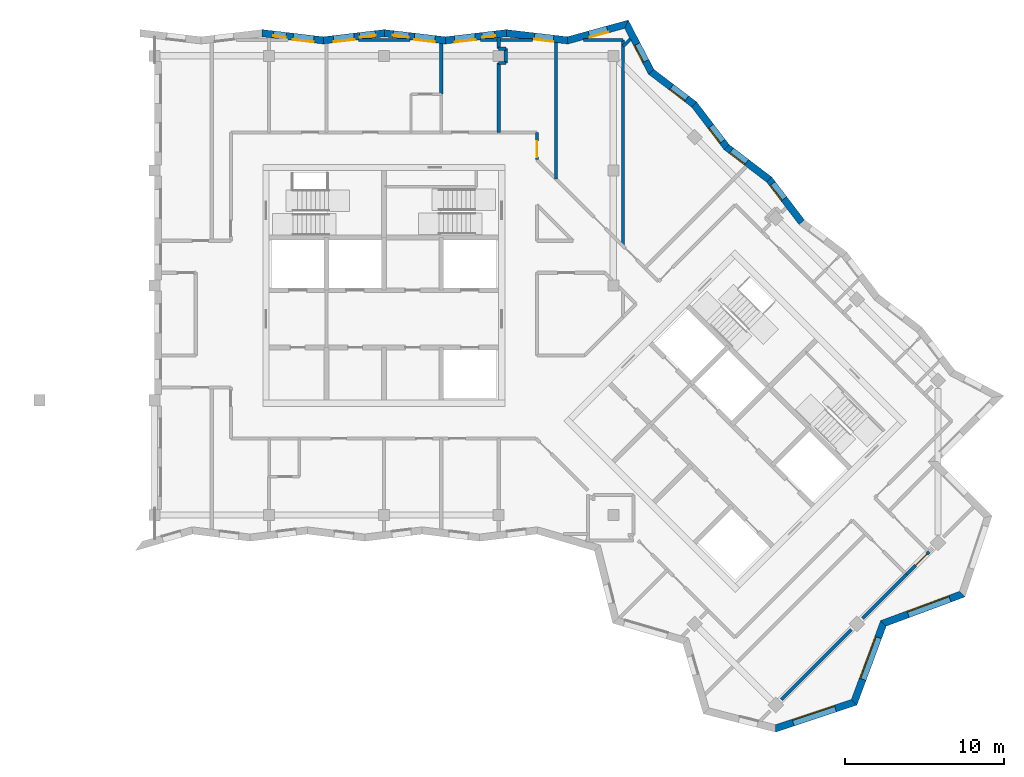
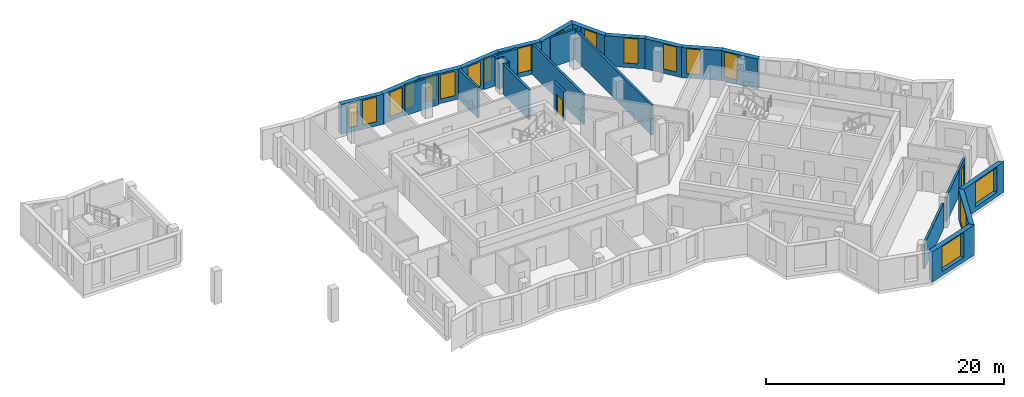
# One storey, part 6 of 12: 30 walls, 18 windows, 2 doors, 20 openings.
"""IFC4 building model written with IfcOpenShell, lengths in metres."""

from ifc_helpers import new_model, si_unit, direction, frame, frame_2d, origin, place, context, subcontext, project, spatial, polyline, rectangle, outline, extrude, material, layer, layer_set, type_object, element, fill, save


model = new_model("IFC4")

# Units and contexts
model_context = context("Model", 3, precision=1e-05, world=origin(), true_north=direction((0.0, 1.0)))
body_context = subcontext(model_context, "Body", "Model", "MODEL_VIEW")
ifc_project = project(units=[si_unit("LENGTHUNIT", "METRE"), si_unit("AREAUNIT", "SQUARE_METRE"), si_unit("VOLUMEUNIT", "CUBIC_METRE"), si_unit("PLANEANGLEUNIT", "RADIAN"), si_unit("MASSUNIT", "GRAM", prefix="KILO")], contexts=[model_context])

# Site, building, storey
site_placement = place(None, origin())
site = spatial("IfcSite", under=ifc_project, at=site_placement, CompositionType="ELEMENT")
building_placement = place(site_placement, origin())
building = spatial("IfcBuilding", under=site, at=building_placement, Name="Windrow Commons", CompositionType="ELEMENT")
storey_placement = place(building_placement, frame((0.0, 0.0, 260.8)))
storey = spatial("IfcBuildingStorey", under=building, at=storey_placement, Name="L71", CompositionType="ELEMENT", Elevation=260.8)

# Wall, opening, window
ifc_material_1 = material(Name="Brick masonry, red clay brick", Category="masonry")
ifc_layer_1 = layer(ifc_material_1, 0.45)
ifc_layer_set_1 = layer_set([ifc_layer_1], Name="Brick facade wall 450")
wall_type_1 = type_object("IfcWallType", Name="Brick facade wall 450", PredefinedType="SOLIDWALL", material=ifc_layer_set_1)
wall_1_placement = place(storey_placement, frame((89.3736, 29.8079, 0.0), z_axis=(0.0, 0.0, 1.0), x_axis=(0.9486871493, 0.3162162119, 0.0)))
wall_1 = element("IfcWall", 1, at=wall_1_placement, inside=storey, type_object=wall_type_1, Name="Brick facade wall L71 1", PredefinedType="SOLIDWALL", context=body_context, shape_type="SweptSolid", body=[
    extrude(outline(polyline([(-0.0658, -0.225), (5.3008, -0.225), (5.0852, 0.225), (0.0658, 0.225), (-0.0658, -0.225)])), origin(), (0.0, 0.0, 1.0), 3.1),
])
opening_1_placement = place(wall_1_placement, frame((1.1577, 0.0, 0.45)))
opening_1 = element("IfcOpeningElement", 2, at=opening_1_placement, cuts=wall_1, Name="Opening W1V", PredefinedType="OPENING", context=body_context, shape_type="SweptSolid", body=[
    extrude(rectangle(XDim=2.8, YDim=2.55, at=frame_2d((1.4, 1.275))), frame((0.0, 0.235, 0.0), z_axis=(0.0, -1.0, 0.0), x_axis=(1.0, 0.0, 0.0)), (0.0, 0.0, 1.0), 0.47),
])
ifc_material_2 = material(Name="Clear float glass in anodised aluminium frame", Category="aluminium")
window_type_1 = type_object("IfcWindowType", Name="Window W1V bedroom 2800x2550", PartitioningType="SINGLE_PANEL", PredefinedType="WINDOW", material=ifc_material_2)
window_1_placement = place(opening_1_placement, origin())
window_1 = element("IfcWindow", 3, at=window_1_placement, inside=storey, type_object=window_type_1, Name="Window L71 1.1", OverallHeight=2.55, OverallWidth=2.8, PartitioningType="SINGLE_PANEL", PredefinedType="WINDOW", context=body_context, shape_type="SweptSolid", body=[
    extrude(rectangle(XDim=2.8, YDim=2.55, at=frame_2d((1.4, 1.275))), frame((0.0, 0.205, 0.0), z_axis=(0.0, -1.0, 0.0), x_axis=(1.0, 0.0, 0.0)), (0.0, 0.0, 1.0), 0.06),
])
fill(opening_1, window_1)

wall_2_placement = place(storey_placement, frame((94.3001, 31.45, 0.0), z_axis=(0.0, 0.0, 1.0), x_axis=(0.3481927166, 0.9374229739, 0.0)))
wall_2 = element("IfcWall", 4, at=wall_2_placement, inside=storey, type_object=wall_type_1, Name="Brick facade wall L71 2", PredefinedType="SOLIDWALL", context=body_context, shape_type="SweptSolid", body=[
    extrude(outline(polyline([(-0.1078, -0.225), (5.1724, -0.225), (5.3786, 0.225), (0.1078, 0.225), (-0.1078, -0.225)])), origin(), (0.0, 0.0, 1.0), 3.1),
])
opening_2_placement = place(wall_2_placement, frame((1.5336, 0.0, 0.45)))
opening_2 = element("IfcOpeningElement", 5, at=opening_2_placement, cuts=wall_2, Name="Opening W1V", PredefinedType="OPENING", context=body_context, shape_type="SweptSolid", body=[
    extrude(rectangle(XDim=2.8, YDim=2.55, at=frame_2d((1.4, 1.275))), frame((0.0, 0.235, 0.0), z_axis=(0.0, -1.0, 0.0), x_axis=(1.0, 0.0, 0.0)), (0.0, 0.0, 1.0), 0.47),
])
window_2_placement = place(opening_2_placement, origin())
window_2 = element("IfcWindow", 6, at=window_2_placement, inside=storey, type_object=window_type_1, Name="Window L71 2.1", OverallHeight=2.55, OverallWidth=2.8, PartitioningType="SINGLE_PANEL", PredefinedType="WINDOW", context=body_context, shape_type="SweptSolid", body=[
    extrude(rectangle(XDim=2.8, YDim=2.55, at=frame_2d((1.4, 1.275))), frame((0.0, 0.205, 0.0), z_axis=(0.0, -1.0, 0.0), x_axis=(1.0, 0.0, 0.0)), (0.0, 0.0, 1.0), 0.06),
])
fill(opening_2, window_2)

wall_3_placement = place(storey_placement, frame((96.137, 36.3954, 0.0), z_axis=(0.0, 0.0, 1.0), x_axis=(0.937429161, 0.3481760591, 0.0)))
wall_3 = element("IfcWall", 7, at=wall_3_placement, inside=storey, type_object=wall_type_1, Name="Brick facade wall L71 3", PredefinedType="SOLIDWALL", context=body_context, shape_type="SweptSolid", body=[
    extrude(outline(polyline([(0.1031, -0.225), (5.3833, -0.225), (5.1677, 0.225), (-0.1031, 0.225), (0.1031, -0.225)])), origin(), (0.0, 0.0, 1.0), 3.1),
])
opening_3_placement = place(wall_3_placement, frame((1.6509, 0.0, 0.45)))
opening_3 = element("IfcOpeningElement", 8, at=opening_3_placement, cuts=wall_3, Name="Opening W1V", PredefinedType="OPENING", context=body_context, shape_type="SweptSolid", body=[
    extrude(rectangle(XDim=2.8, YDim=2.55, at=frame_2d((1.4, 1.275))), frame((0.0, 0.235, 0.0), z_axis=(0.0, -1.0, 0.0), x_axis=(1.0, 0.0, 0.0)), (0.0, 0.0, 1.0), 0.47),
])
window_3_placement = place(opening_3_placement, origin())
window_3 = element("IfcWindow", 9, at=window_3_placement, inside=storey, type_object=window_type_1, Name="Window L71 3.1", OverallHeight=2.55, OverallWidth=2.8, PartitioningType="SINGLE_PANEL", PredefinedType="WINDOW", context=body_context, shape_type="SweptSolid", body=[
    extrude(rectangle(XDim=2.8, YDim=2.55, at=frame_2d((1.4, 1.275))), frame((0.0, 0.205, 0.0), z_axis=(0.0, -1.0, 0.0), x_axis=(1.0, 0.0, 0.0)), (0.0, 0.0, 1.0), 0.06),
])
fill(opening_3, window_3)

wall_4_placement = place(storey_placement, frame((91.0135, 61.5625, 0.0), z_axis=(0.0, 0.0, 1.0), x_axis=(-0.6059151193, 0.7955293007, 0.0)))
wall_4 = element("IfcWall", 10, at=wall_4_placement, inside=storey, type_object=wall_type_1, Name="Brick facade wall L71 12", PredefinedType="SOLIDWALL", context=body_context, shape_type="SweptSolid", body=[
    extrude(outline(polyline([(0.0304, -0.225), (3.3941, -0.225), (3.3332, 0.225), (-0.0304, 0.225), (0.0304, -0.225)])), origin(), (0.0, 0.0, 1.0), 3.1),
])
opening_4_placement = place(wall_4_placement, frame((1.8396, 0.0, 0.45)))
opening_4 = element("IfcOpeningElement", 11, at=opening_4_placement, cuts=wall_4, Name="Opening W7F", PredefinedType="OPENING", context=body_context, shape_type="SweptSolid", body=[
    extrude(rectangle(XDim=1.2, YDim=2.55, at=frame_2d((0.6, 1.275))), frame((0.0, 0.235, 0.0), z_axis=(0.0, -1.0, 0.0), x_axis=(1.0, 0.0, 0.0)), (0.0, 0.0, 1.0), 0.47),
])
ifc_material_3 = material(Name="Clear float glass in anodised aluminium frame", Category="aluminium")
window_type_2 = type_object("IfcWindowType", Name="Window W7 notch 1200x2550", PartitioningType="SINGLE_PANEL", PredefinedType="WINDOW", material=ifc_material_3)
window_4_placement = place(opening_4_placement, origin())
window_4 = element("IfcWindow", 12, at=window_4_placement, inside=storey, type_object=window_type_2, Name="Window L71 12.1", OverallHeight=2.55, OverallWidth=1.2, PartitioningType="SINGLE_PANEL", PredefinedType="WINDOW", context=body_context, shape_type="SweptSolid", body=[
    extrude(rectangle(XDim=1.2, YDim=2.55, at=frame_2d((0.6, 1.275))), frame((0.0, 0.205, 0.0), z_axis=(0.0, -1.0, 0.0), x_axis=(1.0, 0.0, 0.0)), (0.0, 0.0, 1.0), 0.06),
])
fill(opening_4, window_4)

wall_5_placement = place(storey_placement, frame((88.9754, 64.2384, 0.0), z_axis=(0.0, 0.0, 1.0), x_axis=(-0.7955327164, 0.6059106346, 0.0)))
wall_5 = element("IfcWall", 13, at=wall_5_placement, inside=storey, type_object=wall_type_1, Name="Brick facade wall L71 13", PredefinedType="SOLIDWALL", context=body_context, shape_type="SweptSolid", body=[
    extrude(outline(polyline([(-0.0304, -0.225), (3.3332, -0.225), (3.3941, 0.225), (0.0304, 0.225), (-0.0304, -0.225)])), origin(), (0.0, 0.0, 1.0), 3.1),
])
opening_5_placement = place(wall_5_placement, frame((1.7894, 0.0, 0.45)))
opening_5 = element("IfcOpeningElement", 14, at=opening_5_placement, cuts=wall_5, Name="Opening W7F", PredefinedType="OPENING", context=body_context, shape_type="SweptSolid", body=[
    extrude(rectangle(XDim=1.2, YDim=2.55, at=frame_2d((0.6, 1.275))), frame((0.0, 0.235, 0.0), z_axis=(0.0, -1.0, 0.0), x_axis=(1.0, 0.0, 0.0)), (0.0, 0.0, 1.0), 0.47),
])
window_5_placement = place(opening_5_placement, origin())
window_5 = element("IfcWindow", 15, at=window_5_placement, inside=storey, type_object=window_type_2, Name="Window L71 13.1", OverallHeight=2.55, OverallWidth=1.2, PartitioningType="SINGLE_PANEL", PredefinedType="WINDOW", context=body_context, shape_type="SweptSolid", body=[
    extrude(rectangle(XDim=1.2, YDim=2.55, at=frame_2d((0.6, 1.275))), frame((0.0, 0.205, 0.0), z_axis=(0.0, -1.0, 0.0), x_axis=(1.0, 0.0, 0.0)), (0.0, 0.0, 1.0), 0.06),
])
fill(opening_5, window_5)

wall_6_placement = place(storey_placement, frame((86.2996, 66.2764, 0.0), z_axis=(0.0, 0.0, 1.0), x_axis=(-0.6059151193, 0.7955293007, 0.0)))
wall_6 = element("IfcWall", 16, at=wall_6_placement, inside=storey, type_object=wall_type_1, Name="Brick facade wall L71 14", PredefinedType="SOLIDWALL", context=body_context, shape_type="SweptSolid", body=[
    extrude(outline(polyline([(0.0304, -0.225), (3.3941, -0.225), (3.3332, 0.225), (-0.0304, 0.225), (0.0304, -0.225)])), origin(), (0.0, 0.0, 1.0), 3.1),
])
opening_6_placement = place(wall_6_placement, frame((0.4422, 0.0, 0.45)))
opening_6 = element("IfcOpeningElement", 17, at=opening_6_placement, cuts=wall_6, Name="Opening W7F", PredefinedType="OPENING", context=body_context, shape_type="SweptSolid", body=[
    extrude(rectangle(XDim=1.2, YDim=2.55, at=frame_2d((0.6, 1.275))), frame((0.0, 0.235, 0.0), z_axis=(0.0, -1.0, 0.0), x_axis=(1.0, 0.0, 0.0)), (0.0, 0.0, 1.0), 0.47),
])
window_6_placement = place(opening_6_placement, origin())
window_6 = element("IfcWindow", 18, at=window_6_placement, inside=storey, type_object=window_type_2, Name="Window L71 14.1", OverallHeight=2.55, OverallWidth=1.2, PartitioningType="SINGLE_PANEL", PredefinedType="WINDOW", context=body_context, shape_type="SweptSolid", body=[
    extrude(rectangle(XDim=1.2, YDim=2.55, at=frame_2d((0.6, 1.275))), frame((0.0, 0.205, 0.0), z_axis=(0.0, -1.0, 0.0), x_axis=(1.0, 0.0, 0.0)), (0.0, 0.0, 1.0), 0.06),
])
fill(opening_6, window_6)

wall_7_placement = place(storey_placement, frame((84.2615, 68.9523, 0.0), z_axis=(0.0, 0.0, 1.0), x_axis=(-0.7955233042, 0.6059229922, 0.0)))
wall_7 = element("IfcWall", 19, at=wall_7_placement, inside=storey, type_object=wall_type_1, Name="Brick facade wall L71 15", PredefinedType="SOLIDWALL", context=body_context, shape_type="SweptSolid", body=[
    extrude(outline(polyline([(-0.0304, -0.225), (3.3332, -0.225), (3.4338, 0.225), (0.0304, 0.225), (-0.0304, -0.225)])), origin(), (0.0, 0.0, 1.0), 3.1),
])
opening_7_placement = place(wall_7_placement, frame((0.592, 0.0, 0.45)))
opening_7 = element("IfcOpeningElement", 20, at=opening_7_placement, cuts=wall_7, Name="Opening W7F", PredefinedType="OPENING", context=body_context, shape_type="SweptSolid", body=[
    extrude(rectangle(XDim=1.2, YDim=2.55, at=frame_2d((0.6, 1.275))), frame((0.0, 0.235, 0.0), z_axis=(0.0, -1.0, 0.0), x_axis=(1.0, 0.0, 0.0)), (0.0, 0.0, 1.0), 0.47),
])
window_7_placement = place(opening_7_placement, origin())
window_7 = element("IfcWindow", 21, at=window_7_placement, inside=storey, type_object=window_type_2, Name="Window L71 15.1", OverallHeight=2.55, OverallWidth=1.2, PartitioningType="SINGLE_PANEL", PredefinedType="WINDOW", context=body_context, shape_type="SweptSolid", body=[
    extrude(rectangle(XDim=1.2, YDim=2.55, at=frame_2d((0.6, 1.275))), frame((0.0, 0.205, 0.0), z_axis=(0.0, -1.0, 0.0), x_axis=(1.0, 0.0, 0.0)), (0.0, 0.0, 1.0), 0.06),
])
fill(opening_7, window_7)

wall_8_placement = place(storey_placement, frame((81.5699, 71.0024, 0.0), z_axis=(0.0, 0.0, 1.0), x_axis=(-0.4617458541, 0.8870122695, 0.0)))
wall_8 = element("IfcWall", 22, at=wall_8_placement, inside=storey, type_object=wall_type_1, Name="Brick facade wall L71 16", PredefinedType="SOLIDWALL", context=body_context, shape_type="SweptSolid", body=[
    extrude(outline(polyline([(0.0503, -0.225), (3.5453, -0.225), (3.1818, 0.225), (-0.0503, 0.225), (0.0503, -0.225)])), origin(), (0.0, 0.0, 1.0), 3.1),
])
opening_8_placement = place(wall_8_placement, frame((0.7484, 0.0, 0.45)))
opening_8 = element("IfcOpeningElement", 23, at=opening_8_placement, cuts=wall_8, Name="Opening W7F", PredefinedType="OPENING", context=body_context, shape_type="SweptSolid", body=[
    extrude(rectangle(XDim=1.2, YDim=2.55, at=frame_2d((0.6, 1.275))), frame((0.0, 0.235, 0.0), z_axis=(0.0, -1.0, 0.0), x_axis=(1.0, 0.0, 0.0)), (0.0, 0.0, 1.0), 0.47),
])
window_8_placement = place(opening_8_placement, origin())
window_8 = element("IfcWindow", 24, at=window_8_placement, inside=storey, type_object=window_type_2, Name="Window L71 16.1", OverallHeight=2.55, OverallWidth=1.2, PartitioningType="SINGLE_PANEL", PredefinedType="WINDOW", context=body_context, shape_type="SweptSolid", body=[
    extrude(rectangle(XDim=1.2, YDim=2.55, at=frame_2d((0.6, 1.275))), frame((0.0, 0.205, 0.0), z_axis=(0.0, -1.0, 0.0), x_axis=(1.0, 0.0, 0.0)), (0.0, 0.0, 1.0), 0.06),
])
fill(opening_8, window_8)

wall_9_placement = place(storey_placement, frame((80.0168, 73.9859, 0.0), z_axis=(0.0, 0.0, 1.0), x_axis=(-0.9643045882, -0.2647955081, 0.0)))
wall_9 = element("IfcWall", 25, at=wall_9_placement, inside=storey, type_object=wall_type_1, Name="Brick facade wall L71 17", PredefinedType="SOLIDWALL", context=body_context, shape_type="SweptSolid", body=[
    extrude(outline(polyline([(-0.1817, -0.225), (3.7873, -0.225), (3.8751, 0.225), (0.1817, 0.225), (-0.1817, -0.225)])), origin(), (0.0, 0.0, 1.0), 3.1),
])
opening_9_placement = place(wall_9_placement, frame((1.2391, 0.0, 0.45)))
opening_9 = element("IfcOpeningElement", 26, at=opening_9_placement, cuts=wall_9, Name="Opening W7F", PredefinedType="OPENING", context=body_context, shape_type="SweptSolid", body=[
    extrude(rectangle(XDim=1.2, YDim=2.55, at=frame_2d((0.6, 1.275))), frame((0.0, 0.235, 0.0), z_axis=(0.0, -1.0, 0.0), x_axis=(1.0, 0.0, 0.0)), (0.0, 0.0, 1.0), 0.47),
])
window_9_placement = place(opening_9_placement, origin())
window_9 = element("IfcWindow", 27, at=window_9_placement, inside=storey, type_object=window_type_2, Name="Window L71 17.1", OverallHeight=2.55, OverallWidth=1.2, PartitioningType="SINGLE_PANEL", PredefinedType="WINDOW", context=body_context, shape_type="SweptSolid", body=[
    extrude(rectangle(XDim=1.2, YDim=2.55, at=frame_2d((0.6, 1.275))), frame((0.0, 0.205, 0.0), z_axis=(0.0, -1.0, 0.0), x_axis=(1.0, 0.0, 0.0)), (0.0, 0.0, 1.0), 0.06),
])
fill(opening_9, window_9)

wall_10_placement = place(storey_placement, frame((76.3223, 72.9714, 0.0), z_axis=(0.0, 0.0, 1.0), x_axis=(-0.9931297821, 0.117018101, 0.0)))
wall_10 = element("IfcWall", 28, at=wall_10_placement, inside=storey, type_object=wall_type_1, Name="Brick facade wall L71 18", PredefinedType="SOLIDWALL", context=body_context, shape_type="SweptSolid", body=[
    extrude(outline(polyline([(0.0439, -0.225), (3.8978, -0.225), (3.8447, 0.225), (-0.0439, 0.225), (0.0439, -0.225)])), origin(), (0.0, 0.0, 1.0), 3.1),
])
opening_10_placement = place(wall_10_placement, frame((0.886, 0.0, 0.45)))
opening_10 = element("IfcOpeningElement", 29, at=opening_10_placement, cuts=wall_10, Name="Opening W7F", PredefinedType="OPENING", context=body_context, shape_type="SweptSolid", body=[
    extrude(rectangle(XDim=1.2, YDim=2.55, at=frame_2d((0.6, 1.275))), frame((0.0, 0.235, 0.0), z_axis=(0.0, -1.0, 0.0), x_axis=(1.0, 0.0, 0.0)), (0.0, 0.0, 1.0), 0.47),
])
window_10_placement = place(opening_10_placement, origin())
window_10 = element("IfcWindow", 30, at=window_10_placement, inside=storey, type_object=window_type_2, Name="Window L71 18.1", OverallHeight=2.55, OverallWidth=1.2, PartitioningType="SINGLE_PANEL", PredefinedType="WINDOW", context=body_context, shape_type="SweptSolid", body=[
    extrude(rectangle(XDim=1.2, YDim=2.55, at=frame_2d((0.6, 1.275))), frame((0.0, 0.205, 0.0), z_axis=(0.0, -1.0, 0.0), x_axis=(1.0, 0.0, 0.0)), (0.0, 0.0, 1.0), 0.06),
])
fill(opening_10, window_10)

# Wall, openings, windows
wall_11_placement = place(storey_placement, frame((72.4777, 73.4244, 0.0), z_axis=(0.0, 0.0, 1.0), x_axis=(-0.9931289789, -0.1170249176, 0.0)))
wall_11 = element("IfcWall", 31, at=wall_11_placement, inside=storey, type_object=wall_type_1, Name="Brick facade wall L71 19", PredefinedType="SOLIDWALL", context=body_context, shape_type="SweptSolid", body=[
    extrude(outline(polyline([(-0.0265, -0.225), (3.8274, -0.225), (3.8804, 0.225), (0.0265, 0.225), (-0.0265, -0.225)])), origin(), (0.0, 0.0, 1.0), 3.1),
])
opening_11_placement = place(wall_11_placement, frame((0.7176, 0.0, 0.45)))
opening_11 = element("IfcOpeningElement", 32, at=opening_11_placement, cuts=wall_11, Name="Opening W1N", PredefinedType="OPENING", context=body_context, shape_type="SweptSolid", body=[
    extrude(rectangle(XDim=0.8, YDim=2.5, at=frame_2d((0.4, 1.25))), frame((0.0, 0.235, 0.0), z_axis=(0.0, -1.0, 0.0), x_axis=(1.0, 0.0, 0.0)), (0.0, 0.0, 1.0), 0.47),
])
opening_12_placement = place(wall_11_placement, frame((1.9676, 0.0, 0.45)))
opening_12 = element("IfcOpeningElement", 33, at=opening_12_placement, cuts=wall_11, Name="Opening W1Q", PredefinedType="OPENING", context=body_context, shape_type="SweptSolid", body=[
    extrude(rectangle(XDim=1.3, YDim=2.5, at=frame_2d((0.65, 1.25))), frame((0.0, 0.235, 0.0), z_axis=(0.0, -1.0, 0.0), x_axis=(1.0, 0.0, 0.0)), (0.0, 0.0, 1.0), 0.47),
])
ifc_material_4 = material(Name="Clear float glass in anodised aluminium frame", Category="aluminium")
window_type_3 = type_object("IfcWindowType", Name="Window W1N slit 800x2500", PartitioningType="SINGLE_PANEL", PredefinedType="WINDOW", material=ifc_material_4)
window_11_placement = place(opening_11_placement, origin())
window_11 = element("IfcWindow", 34, at=window_11_placement, inside=storey, type_object=window_type_3, Name="Window L71 19.1A", OverallHeight=2.5, OverallWidth=0.8, PartitioningType="SINGLE_PANEL", PredefinedType="WINDOW", context=body_context, shape_type="SweptSolid", body=[
    extrude(rectangle(XDim=0.8, YDim=2.5, at=frame_2d((0.4, 1.25))), frame((0.0, 0.115, 0.0), z_axis=(0.0, -1.0, 0.0), x_axis=(1.0, 0.0, 0.0)), (0.0, 0.0, 1.0), 0.06),
])
fill(opening_11, window_11)
ifc_material_5 = material(Name="Clear float glass in anodised aluminium frame", Category="aluminium")
window_type_4 = type_object("IfcWindowType", Name="Window W1Q pair 1300x2500", PartitioningType="SINGLE_PANEL", PredefinedType="WINDOW", material=ifc_material_5)
window_12_placement = place(opening_12_placement, origin())
window_12 = element("IfcWindow", 35, at=window_12_placement, inside=storey, type_object=window_type_4, Name="Window L71 19.1B", OverallHeight=2.5, OverallWidth=1.3, PartitioningType="SINGLE_PANEL", PredefinedType="WINDOW", context=body_context, shape_type="SweptSolid", body=[
    extrude(rectangle(XDim=1.3, YDim=2.5, at=frame_2d((0.65, 1.25))), frame((0.0, 0.205, 0.0), z_axis=(0.0, -1.0, 0.0), x_axis=(1.0, 0.0, 0.0)), (0.0, 0.0, 1.0), 0.06),
])
fill(opening_12, window_12)

wall_12_placement = place(storey_placement, frame((68.6503, 72.9734, 0.0), z_axis=(0.0, 0.0, 1.0), x_axis=(-0.9931289789, 0.1170249176, 0.0)))
wall_12 = element("IfcWall", 36, at=wall_12_placement, inside=storey, type_object=wall_type_1, Name="Brick facade wall L71 20", PredefinedType="SOLIDWALL", context=body_context, shape_type="SweptSolid", body=[
    extrude(outline(polyline([(0.0265, -0.225), (3.8804, -0.225), (3.8274, 0.225), (-0.0265, 0.225), (0.0265, -0.225)])), origin(), (0.0, 0.0, 1.0), 3.1),
])
opening_13_placement = place(wall_12_placement, frame((0.6499, 0.0, 0.45)))
opening_13 = element("IfcOpeningElement", 37, at=opening_13_placement, cuts=wall_12, Name="Opening W1Q", PredefinedType="OPENING", context=body_context, shape_type="SweptSolid", body=[
    extrude(rectangle(XDim=1.3, YDim=2.5, at=frame_2d((0.65, 1.25))), frame((0.0, 0.235, 0.0), z_axis=(0.0, -1.0, 0.0), x_axis=(1.0, 0.0, 0.0)), (0.0, 0.0, 1.0), 0.47),
])
opening_14_placement = place(wall_12_placement, frame((2.2999, 0.0, 0.45)))
opening_14 = element("IfcOpeningElement", 38, at=opening_14_placement, cuts=wall_12, Name="Opening W1S", PredefinedType="OPENING", context=body_context, shape_type="SweptSolid", body=[
    extrude(rectangle(XDim=1.0, YDim=2.5, at=frame_2d((0.5, 1.25))), frame((0.0, 0.235, 0.0), z_axis=(0.0, -1.0, 0.0), x_axis=(1.0, 0.0, 0.0)), (0.0, 0.0, 1.0), 0.47),
])
window_13_placement = place(opening_13_placement, origin())
window_13 = element("IfcWindow", 39, at=window_13_placement, inside=storey, type_object=window_type_4, Name="Window L71 20.1A", OverallHeight=2.5, OverallWidth=1.3, PartitioningType="SINGLE_PANEL", PredefinedType="WINDOW", context=body_context, shape_type="SweptSolid", body=[
    extrude(rectangle(XDim=1.3, YDim=2.5, at=frame_2d((0.65, 1.25))), frame((0.0, 0.205, 0.0), z_axis=(0.0, -1.0, 0.0), x_axis=(1.0, 0.0, 0.0)), (0.0, 0.0, 1.0), 0.06),
])
fill(opening_13, window_13)
ifc_material_6 = material(Name="Clear float glass in anodised aluminium frame", Category="aluminium")
window_type_5 = type_object("IfcWindowType", Name="Window W1S slit 1000x2500", PartitioningType="SINGLE_PANEL", PredefinedType="WINDOW", material=ifc_material_6)
window_14_placement = place(opening_14_placement, origin())
window_14 = element("IfcWindow", 40, at=window_14_placement, inside=storey, type_object=window_type_5, Name="Window L71 20.1B", OverallHeight=2.5, OverallWidth=1.0, PartitioningType="SINGLE_PANEL", PredefinedType="WINDOW", context=body_context, shape_type="SweptSolid", body=[
    extrude(rectangle(XDim=1.0, YDim=2.5, at=frame_2d((0.5, 1.25))), frame((0.0, 0.105, 0.0), z_axis=(0.0, -1.0, 0.0), x_axis=(1.0, 0.0, 0.0)), (0.0, 0.0, 1.0), 0.06),
])
fill(opening_14, window_14)

wall_13_placement = place(storey_placement, frame((64.8229, 73.4244, 0.0), z_axis=(0.0, 0.0, 1.0), x_axis=(-0.9931289789, -0.1170249176, 0.0)))
wall_13 = element("IfcWall", 41, at=wall_13_placement, inside=storey, type_object=wall_type_1, Name="Brick facade wall L71 21", PredefinedType="SOLIDWALL", context=body_context, shape_type="SweptSolid", body=[
    extrude(outline(polyline([(-0.0265, -0.225), (3.8274, -0.225), (3.8804, 0.225), (0.0265, 0.225), (-0.0265, -0.225)])), origin(), (0.0, 0.0, 1.0), 3.1),
])
opening_15_placement = place(wall_13_placement, frame((0.554, 0.0, 0.45)))
opening_15 = element("IfcOpeningElement", 42, at=opening_15_placement, cuts=wall_13, Name="Opening W1S", PredefinedType="OPENING", context=body_context, shape_type="SweptSolid", body=[
    extrude(rectangle(XDim=1.0, YDim=2.5, at=frame_2d((0.5, 1.25))), frame((0.0, 0.235, 0.0), z_axis=(0.0, -1.0, 0.0), x_axis=(1.0, 0.0, 0.0)), (0.0, 0.0, 1.0), 0.47),
])
opening_16_placement = place(wall_13_placement, frame((1.904, 0.0, 0.45)))
opening_16 = element("IfcOpeningElement", 43, at=opening_16_placement, cuts=wall_13, Name="Opening W1Q", PredefinedType="OPENING", context=body_context, shape_type="SweptSolid", body=[
    extrude(rectangle(XDim=1.3, YDim=2.5, at=frame_2d((0.65, 1.25))), frame((0.0, 0.235, 0.0), z_axis=(0.0, -1.0, 0.0), x_axis=(1.0, 0.0, 0.0)), (0.0, 0.0, 1.0), 0.47),
])
window_15_placement = place(opening_16_placement, origin())
window_15 = element("IfcWindow", 44, at=window_15_placement, inside=storey, type_object=window_type_4, Name="Window L71 21.1B", OverallHeight=2.5, OverallWidth=1.3, PartitioningType="SINGLE_PANEL", PredefinedType="WINDOW", context=body_context, shape_type="SweptSolid", body=[
    extrude(rectangle(XDim=1.3, YDim=2.5, at=frame_2d((0.65, 1.25))), frame((0.0, 0.205, 0.0), z_axis=(0.0, -1.0, 0.0), x_axis=(1.0, 0.0, 0.0)), (0.0, 0.0, 1.0), 0.06),
])
fill(opening_16, window_15)
window_16_placement = place(opening_15_placement, origin())
window_16 = element("IfcWindow", 45, at=window_16_placement, inside=storey, type_object=window_type_5, Name="Window L71 21.1A", OverallHeight=2.5, OverallWidth=1.0, PartitioningType="SINGLE_PANEL", PredefinedType="WINDOW", context=body_context, shape_type="SweptSolid", body=[
    extrude(rectangle(XDim=1.0, YDim=2.5, at=frame_2d((0.5, 1.25))), frame((0.0, 0.105, 0.0), z_axis=(0.0, -1.0, 0.0), x_axis=(1.0, 0.0, 0.0)), (0.0, 0.0, 1.0), 0.06),
])
fill(opening_15, window_16)

wall_14_placement = place(storey_placement, frame((60.9955, 72.9734, 0.0), z_axis=(0.0, 0.0, 1.0), x_axis=(-0.9931289789, 0.1170249176, 0.0)))
wall_14 = element("IfcWall", 46, at=wall_14_placement, inside=storey, type_object=wall_type_1, Name="Brick facade wall L71 22", PredefinedType="SOLIDWALL", context=body_context, shape_type="SweptSolid", body=[
    extrude(outline(polyline([(0.0265, -0.225), (3.8804, -0.225), (3.8274, 0.225), (-0.0265, 0.225), (0.0265, -0.225)])), origin(), (0.0, 0.0, 1.0), 3.1),
])
opening_17_placement = place(wall_14_placement, frame((0.5978, 0.0, 0.45)))
opening_17 = element("IfcOpeningElement", 47, at=opening_17_placement, cuts=wall_14, Name="Opening W1Q", PredefinedType="OPENING", context=body_context, shape_type="SweptSolid", body=[
    extrude(rectangle(XDim=1.3, YDim=2.5, at=frame_2d((0.65, 1.25))), frame((0.0, 0.235, 0.0), z_axis=(0.0, -1.0, 0.0), x_axis=(1.0, 0.0, 0.0)), (0.0, 0.0, 1.0), 0.47),
])
opening_18_placement = place(wall_14_placement, frame((2.3478, 0.0, 0.45)))
opening_18 = element("IfcOpeningElement", 48, at=opening_18_placement, cuts=wall_14, Name="Opening W1N", PredefinedType="OPENING", context=body_context, shape_type="SweptSolid", body=[
    extrude(rectangle(XDim=0.8, YDim=2.5, at=frame_2d((0.4, 1.25))), frame((0.0, 0.235, 0.0), z_axis=(0.0, -1.0, 0.0), x_axis=(1.0, 0.0, 0.0)), (0.0, 0.0, 1.0), 0.47),
])
window_17_placement = place(opening_18_placement, origin())
window_17 = element("IfcWindow", 49, at=window_17_placement, inside=storey, type_object=window_type_3, Name="Window L71 22.1B", OverallHeight=2.5, OverallWidth=0.8, PartitioningType="SINGLE_PANEL", PredefinedType="WINDOW", context=body_context, shape_type="SweptSolid", body=[
    extrude(rectangle(XDim=0.8, YDim=2.5, at=frame_2d((0.4, 1.25))), frame((0.0, 0.115, 0.0), z_axis=(0.0, -1.0, 0.0), x_axis=(1.0, 0.0, 0.0)), (0.0, 0.0, 1.0), 0.06),
])
fill(opening_18, window_17)
window_18_placement = place(opening_17_placement, origin())
window_18 = element("IfcWindow", 50, at=window_18_placement, inside=storey, type_object=window_type_4, Name="Window L71 22.1A", OverallHeight=2.5, OverallWidth=1.3, PartitioningType="SINGLE_PANEL", PredefinedType="WINDOW", context=body_context, shape_type="SweptSolid", body=[
    extrude(rectangle(XDim=1.3, YDim=2.5, at=frame_2d((0.65, 1.25))), frame((0.0, 0.205, 0.0), z_axis=(0.0, -1.0, 0.0), x_axis=(1.0, 0.0, 0.0)), (0.0, 0.0, 1.0), 0.06),
])
fill(opening_17, window_18)

# Wall, opening, door
ifc_material_7 = material(Name="Blockwork partition", Category="masonry")
ifc_layer_2 = layer(ifc_material_7, 0.2)
ifc_layer_set_2 = layer_set([ifc_layer_2], Name="IW-CORRIDOR-200")
wall_type_2 = type_object("IfcWallType", Name="IW-CORRIDOR-200", PredefinedType="PARTITIONING", material=ifc_layer_set_2)
wall_15_placement = place(storey_placement, frame((97.584, 39.474, 0.0), z_axis=(0.0, 0.0, 1.0), x_axis=(0.7071067812, 0.7071067812, 0.0)))
wall_15 = element("IfcWall", 51, at=wall_15_placement, inside=storey, type_object=wall_type_2, Name="W-L71-W066", PredefinedType="PARTITIONING", context=body_context, shape_type="SweptSolid", body=[
    extrude(rectangle(XDim=1.9997, YDim=0.2, at=frame_2d((0.9999, 0.0))), origin(), (0.0, 0.0, 1.0), 2.6),
])
opening_19_placement = place(wall_15_placement, frame((0.8028, 0.0, 0.0)))
opening_19 = element("IfcOpeningElement", 52, at=opening_19_placement, cuts=wall_15, Name="Opening D310F", PredefinedType="OPENING", context=body_context, shape_type="SweptSolid", body=[
    extrude(rectangle(XDim=1.0, YDim=2.1, at=frame_2d((0.5, 1.05))), frame((0.0, 0.11, 0.0), z_axis=(0.0, -1.0, 0.0), x_axis=(1.0, 0.0, 0.0)), (0.0, 0.0, 1.0), 0.22),
])
ifc_material_8 = material(Name="Timber door leaf", Category="wood")
door_type = type_object("IfcDoorType", Name="DT-AMENITY-1000", OperationType="SINGLE_SWING_LEFT", PredefinedType="DOOR", material=ifc_material_8)
door_1_placement = place(opening_19_placement, origin())
door_1 = element("IfcDoor", 53, at=door_1_placement, inside=storey, type_object=door_type, Name="D-L71-D030", OperationType="SINGLE_SWING_RIGHT", OverallHeight=2.1, OverallWidth=1.0, PredefinedType="DOOR", context=body_context, shape_type="SweptSolid", body=[
    extrude(rectangle(XDim=1.0, YDim=2.1, at=frame_2d((0.5, 1.05))), frame((0.0, 0.025, 0.0), z_axis=(0.0, -1.0, 0.0), x_axis=(1.0, 0.0, 0.0)), (0.0, 0.0, 1.0), 0.05),
])
fill(opening_19, door_1)

wall_16_placement = place(storey_placement, frame((74.4, 65.486, 0.0), z_axis=(0.0, 0.0, 1.0), x_axis=(0.0, 1.0, 0.0)))
wall_16 = element("IfcWall", 54, at=wall_16_placement, inside=storey, type_object=wall_type_2, Name="W-L71-W069", PredefinedType="PARTITIONING", context=body_context, shape_type="SweptSolid", body=[
    extrude(rectangle(XDim=1.714, YDim=0.2, at=frame_2d((0.857, 0.0))), origin(), (0.0, 0.0, 1.0), 3.1),
])
opening_20_placement = place(wall_16_placement, frame((0.1617, 0.0, 0.0)))
opening_20 = element("IfcOpeningElement", 55, at=opening_20_placement, cuts=wall_16, Name="Opening D310F", PredefinedType="OPENING", context=body_context, shape_type="SweptSolid", body=[
    extrude(rectangle(XDim=1.0, YDim=2.1, at=frame_2d((0.5, 1.05))), frame((0.0, 0.11, 0.0), z_axis=(0.0, -1.0, 0.0), x_axis=(1.0, 0.0, 0.0)), (0.0, 0.0, 1.0), 0.22),
])
door_2_placement = place(opening_20_placement, origin())
door_2 = element("IfcDoor", 56, at=door_2_placement, inside=storey, type_object=door_type, Name="D-L71-D015", OperationType="SINGLE_SWING_RIGHT", OverallHeight=2.1, OverallWidth=1.0, PredefinedType="DOOR", context=body_context, shape_type="SweptSolid", body=[
    extrude(rectangle(XDim=1.0, YDim=2.1, at=frame_2d((0.5, 1.05))), frame((0.0, 0.025, 0.0), z_axis=(0.0, -1.0, 0.0), x_axis=(1.0, 0.0, 0.0)), (0.0, 0.0, 1.0), 0.05),
])
fill(opening_20, door_2)

# Walls
ifc_material_9 = material(Name="Blockwork partition", Category="masonry")
ifc_layer_3 = layer(ifc_material_9, 0.2)
ifc_layer_set_3 = layer_set([ifc_layer_3], Name="IW-PARTY-200")
wall_type_3 = type_object("IfcWallType", Name="IW-PARTY-200", PredefinedType="PARTITIONING", material=ifc_layer_set_3)
wall_17_placement = place(storey_placement, frame((79.8, 60.086, 0.0), z_axis=(0.0, 0.0, 1.0), x_axis=(0.0, 1.0, 0.0)))
element("IfcWall", 57, at=wall_17_placement, inside=storey, type_object=wall_type_3, Name="W-L71-W003", PredefinedType="PARTITIONING", context=body_context, shape_type="SweptSolid", body=[
    extrude(rectangle(XDim=12.914, YDim=0.2, at=frame_2d((6.457, 0.0))), origin(), (0.0, 0.0, 1.0), 3.1),
])
wall_18_placement = place(storey_placement, frame((75.6, 64.286, 0.0), z_axis=(0.0, 0.0, 1.0), x_axis=(0.0, 1.0, 0.0)))
element("IfcWall", 58, at=wall_18_placement, inside=storey, type_object=wall_type_3, Name="W-L71-W010", PredefinedType="PARTITIONING", context=body_context, shape_type="SweptSolid", body=[
    extrude(rectangle(XDim=8.544, YDim=0.2, at=frame_2d((4.272, 0.0))), origin(), (0.0, 0.0, 1.0), 3.1),
])
wall_19_placement = place(storey_placement, frame((89.731, 31.621, 0.0), z_axis=(0.0, 0.0, 1.0), x_axis=(0.7071067812, 0.7071067812, 0.0)))
element("IfcWall", 59, at=wall_19_placement, inside=storey, type_object=wall_type_3, Name="W-L71-W015", PredefinedType="PARTITIONING", context=body_context, shape_type="SweptSolid", body=[
    extrude(rectangle(XDim=6.2112, YDim=0.2, at=frame_2d((3.1056, 0.0))), origin(), (0.0, 0.0, 1.0), 2.6),
])
wall_20_placement = place(storey_placement, frame((72.0, 67.2, 0.0), z_axis=(0.0, 0.0, 1.0), x_axis=(0.0, 1.0, 0.0)))
element("IfcWall", 60, at=wall_20_placement, inside=storey, type_object=wall_type_3, Name="W-L71-W027", PredefinedType="PARTITIONING", context=body_context, shape_type="SweptSolid", body=[
    extrude(rectangle(XDim=4.346, YDim=0.2, at=frame_2d((2.173, 0.0))), origin(), (0.0, 0.0, 1.0), 3.1),
])
wall_21_placement = place(storey_placement, frame((94.8275, 36.7085, 0.0), z_axis=(0.0, 0.0, 1.0), x_axis=(0.7068506295, 0.7073628401, 0.0)))
element("IfcWall", 61, at=wall_21_placement, inside=storey, type_object=wall_type_3, Name="W-L71-W032", PredefinedType="PARTITIONING", context=body_context, shape_type="SweptSolid", body=[
    extrude(rectangle(XDim=3.9046, YDim=0.2, at=frame_2d((1.9523, 0.0))), origin(), (0.0, 0.0, 1.0), 2.6),
])
for number, where, z_axis, x_axis, name in (
    (62, (70.8483, 73.0, 0.0), (0.0, 0.0, 1.0), (1.0, 0.0, 0.0), "W-L71-W035"),
    (63, (63.1935, 73.0, 0.0), (0.0, 0.0, 1.0), (1.0, 0.0, 0.0), "W-L71-W038"),
):
    element("IfcWall", number, at=place(storey_placement, frame(where, z_axis=z_axis, x_axis=x_axis)), inside=storey, type_object=wall_type_3, Name=name, PredefinedType="PARTITIONING", context=body_context, shape_type="SweptSolid", body=[
        extrude(rectangle(XDim=3.2587, YDim=0.2, at=frame_2d((1.6294, 0.0))), origin(), (0.0, 0.0, 1.0), 3.1),
    ])
wall_22_placement = place(storey_placement, frame((68.4, 69.6, 0.0), z_axis=(0.0, 0.0, 1.0), x_axis=(0.0, 1.0, 0.0)))
element("IfcWall", 64, at=wall_22_placement, inside=storey, type_object=wall_type_3, Name="W-L71-W041", PredefinedType="PARTITIONING", context=body_context, shape_type="SweptSolid", body=[
    extrude(rectangle(XDim=3.1764, YDim=0.2, at=frame_2d((1.5882, 0.0))), origin(), (0.0, 0.0, 1.0), 3.1),
])
wall_23_placement = place(storey_placement, frame((77.3261, 73.0, 0.0), z_axis=(0.0, 0.0, 1.0), x_axis=(1.0, 0.0, 0.0)))
element("IfcWall", 65, at=wall_23_placement, inside=storey, type_object=wall_type_3, Name="W-L71-W048", PredefinedType="PARTITIONING", context=body_context, shape_type="SweptSolid", body=[
    extrude(rectangle(XDim=2.4739, YDim=0.2, at=frame_2d((1.2369, 0.0))), origin(), (0.0, 0.0, 1.0), 3.1),
])
wall_24_placement = place(storey_placement, frame((72.45, 71.546, 0.0), z_axis=(0.0, 0.0, 1.0), x_axis=(0.0, 1.0, 0.0)))
element("IfcWall", 66, at=wall_24_placement, inside=storey, type_object=wall_type_3, Name="W-L71-W076", PredefinedType="PARTITIONING", context=body_context, shape_type="SweptSolid", body=[
    extrude(rectangle(XDim=0.908, YDim=0.2, at=frame_2d((0.454, 0.0))), origin(), (0.0, 0.0, 1.0), 3.1),
])
wall_25_placement = place(storey_placement, frame((72.0, 72.454, 0.0), z_axis=(0.0, 0.0, 1.0), x_axis=(0.0, 1.0, 0.0)))
element("IfcWall", 67, at=wall_25_placement, inside=storey, type_object=wall_type_3, Name="W-L71-W088", PredefinedType="PARTITIONING", context=body_context, shape_type="SweptSolid", body=[
    extrude(rectangle(XDim=0.6876, YDim=0.2, at=frame_2d((0.3438, 0.0))), origin(), (0.0, 0.0, 1.0), 3.1),
])
wall_26_placement = place(storey_placement, frame((79.7992, 72.6008, 0.0), z_axis=(0.0, 0.0, 1.0), x_axis=(0.7070282879, 0.7071852658, 0.0)))
element("IfcWall", 68, at=wall_26_placement, inside=storey, type_object=wall_type_3, Name="W-L71-W090", PredefinedType="PARTITIONING", context=body_context, shape_type="SweptSolid", body=[
    extrude(rectangle(XDim=0.637, YDim=0.2, at=frame_2d((0.3185, 0.0))), origin(), (0.0, 0.0, 1.0), 3.1),
])
for number, where, z_axis, x_axis, name in (
    (69, (72.0, 72.45, 0.0), (0.0, 0.0, 1.0), (1.0, 0.0, 0.0), "W-L71-W094"),
    (70, (72.0, 71.55, 0.0), (0.0, 0.0, 1.0), (1.0, 0.0, 0.0), "W-L71-W095"),
):
    element("IfcWall", number, at=place(storey_placement, frame(where, z_axis=z_axis, x_axis=x_axis)), inside=storey, type_object=wall_type_3, Name=name, PredefinedType="PARTITIONING", context=body_context, shape_type="SweptSolid", body=[
        extrude(rectangle(XDim=0.45, YDim=0.2, at=frame_2d((0.225, 0.0))), origin(), (0.0, 0.0, 1.0), 3.1),
    ])

save(model, "model.ifc")
